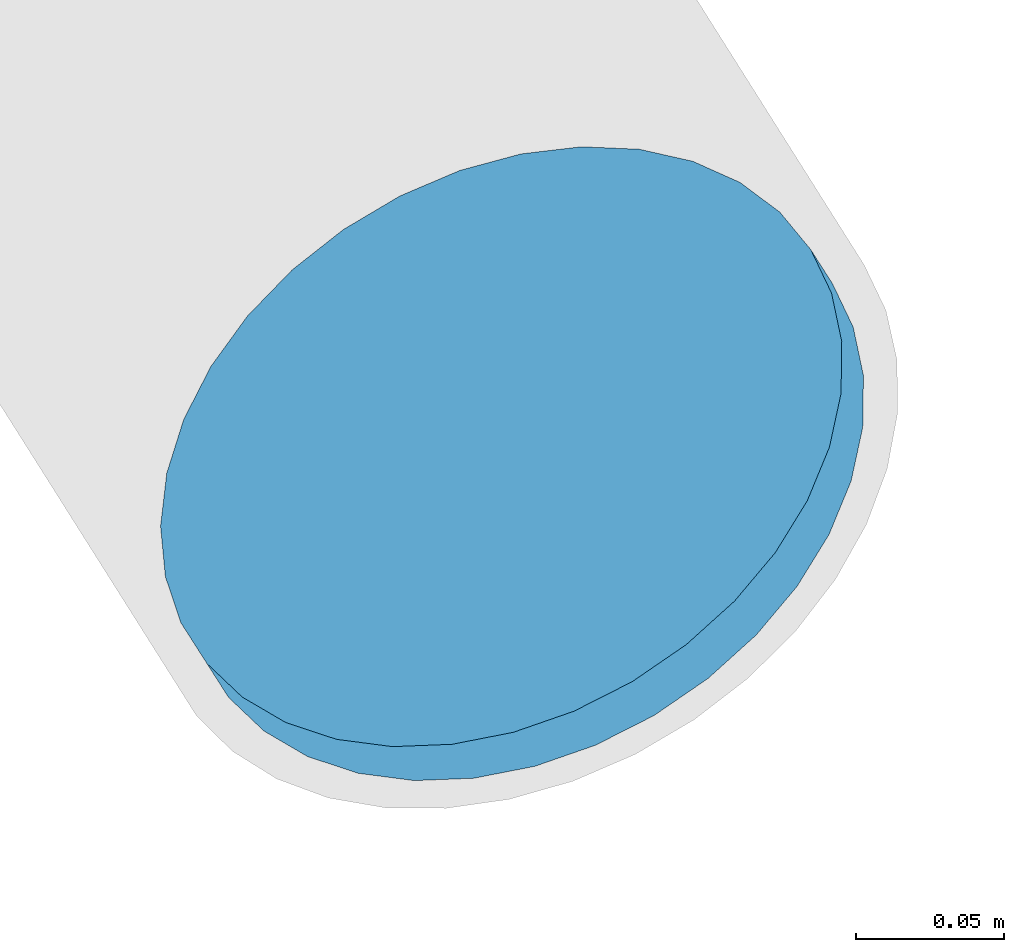
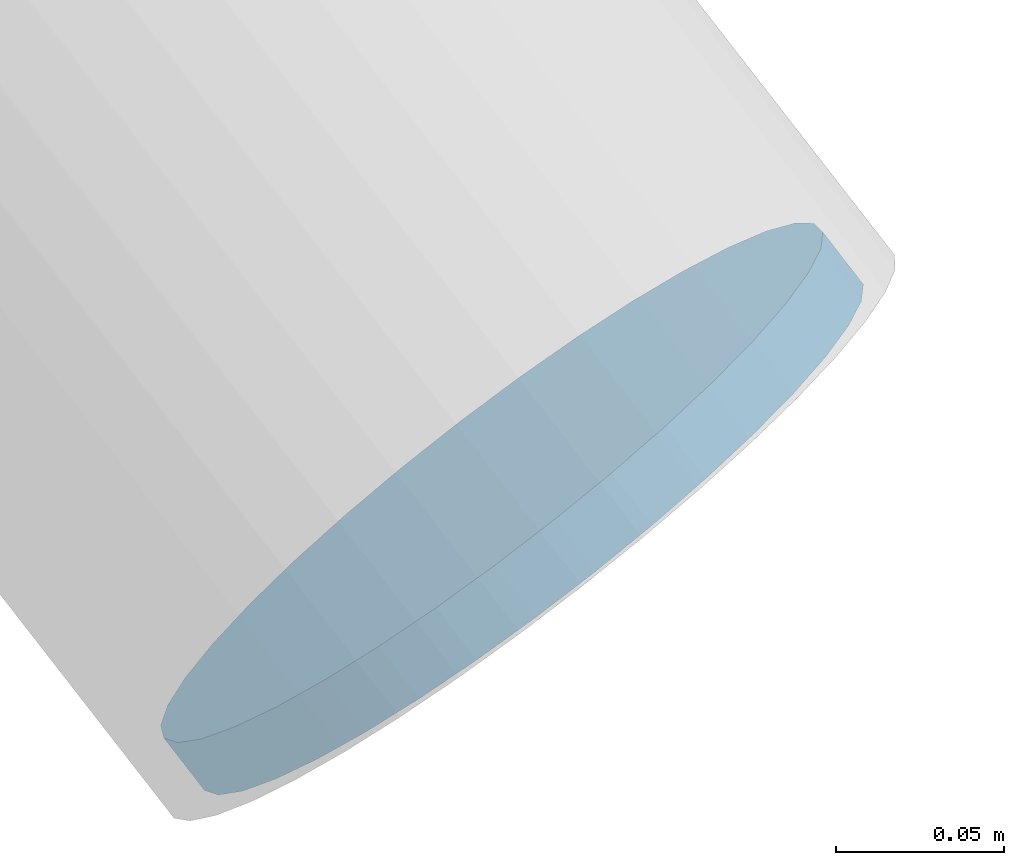
# One storey, part 27 of 36: 1 discrete accessory.
"""IFC4 building model written with IfcOpenShell, lengths in metres."""

from ifc_helpers import new_model, si_unit, direction, frame, origin, origin_2d, place, context, subcontext, project, spatial, circle, extrude, material, material_profile, profile_set, type_object, element, save


model = new_model("IFC4")

# Units and contexts
model_context = context("Model", 3, precision=1e-05, world=origin(), true_north=direction((0.0, 1.0)))
body_context = subcontext(model_context, "Body", "Model", "MODEL_VIEW")
ifc_project = project(units=[si_unit("LENGTHUNIT", "METRE"), si_unit("AREAUNIT", "SQUARE_METRE"), si_unit("VOLUMEUNIT", "CUBIC_METRE"), si_unit("PLANEANGLEUNIT", "RADIAN"), si_unit("MASSUNIT", "GRAM", prefix="KILO")], contexts=[model_context])

# Site, building, storey
site_placement = place(None, origin())
site = spatial("IfcSite", under=ifc_project, at=site_placement, CompositionType="ELEMENT")
building_placement = place(site_placement, origin())
building = spatial("IfcBuilding", under=site, at=building_placement, Name="Rimbun Link Towers", CompositionType="ELEMENT")
storey_placement = place(building_placement, frame((0.0, 0.0, 64.199951171875)))
storey = spatial("IfcBuildingStorey", under=building, at=storey_placement, Name="L15", CompositionType="ELEMENT", Elevation=64.199951171875)

# Discrete accessory
ifc_material = material(Name="Steel S355J2H", Category="steel")
ifc_material_profile = material_profile(ifc_material, circle(Radius=0.1240234375, at=origin_2d()), Name="PL D248")
ifc_profile_set = profile_set([ifc_material_profile], Name="Steel S355J2H")
discrete_accessory_type = type_object("IfcDiscreteAccessoryType", Name="Link foot sealing plate D248X20", PredefinedType="BRACKET", material=ifc_profile_set)
discrete_accessory_placement = place(storey_placement, frame((-40.446533203125, -21.26513671875, -4.58251953125), z_axis=(0.366262418478, -0.573811122282, -0.732524836955), x_axis=(0.842922209578, 0.538035452922, 0.0)))
element("IfcDiscreteAccessory", 1, at=discrete_accessory_placement, inside=storey, type_object=discrete_accessory_type, Name="Link foot sealing plate T1 L15 16", PredefinedType="BRACKET", context=body_context, shape_type="SweptSolid", body=[
    extrude(circle(Radius=0.1240234375, at=origin_2d()), origin(), (0.0, 0.0, 1.0), 0.02001953125),
])

save(model, "model.ifc")
